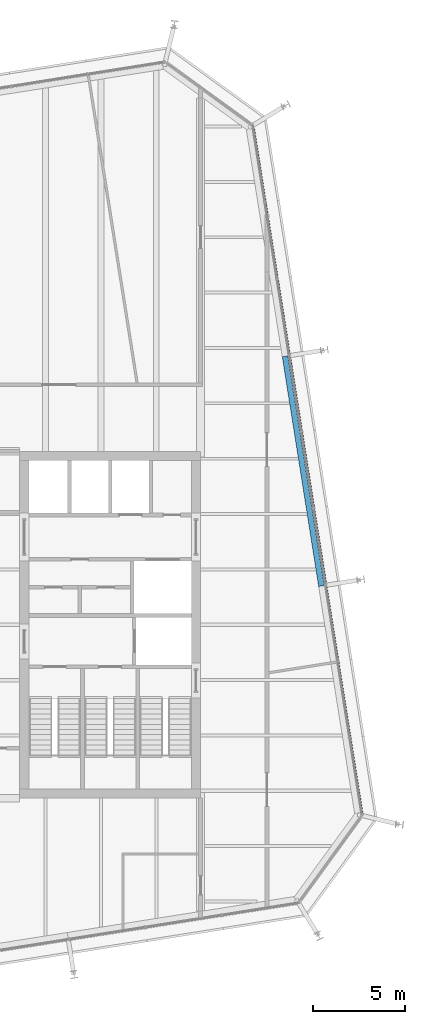
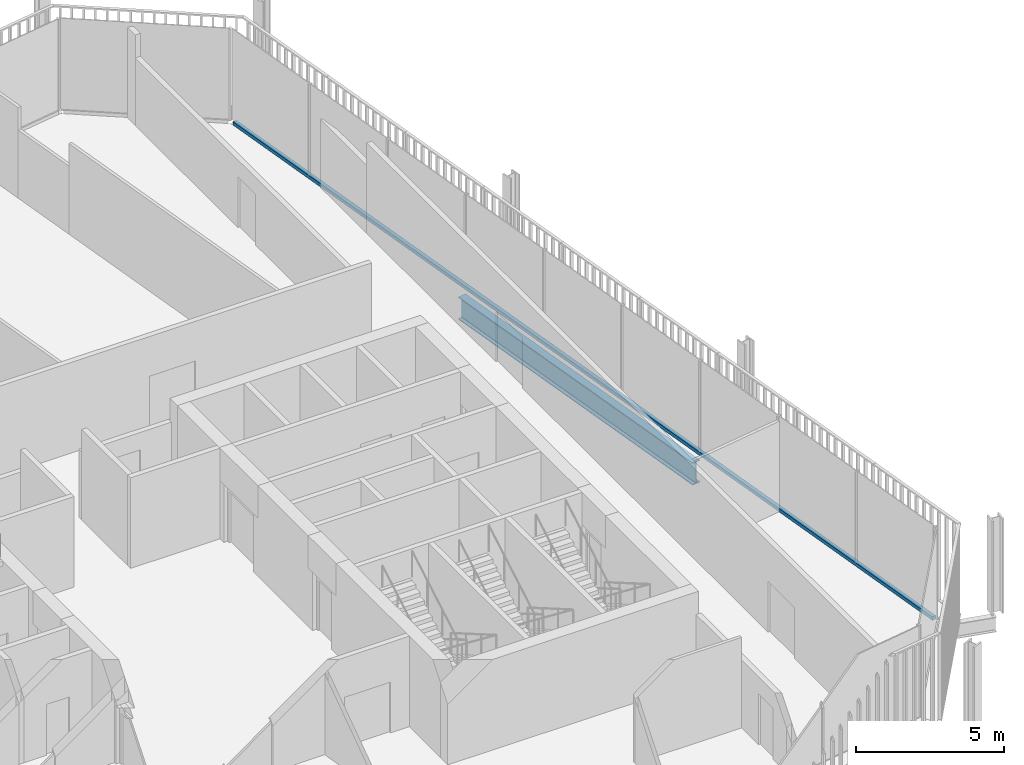
# One storey, part 9 of 20: 1 beam, 1 member, 1 element without a shape of its own.
"""IFC4 building model written with IfcOpenShell, lengths in metres."""

from ifc_helpers import new_model, si_unit, direction, frame, origin, origin_2d, place, context, subcontext, project, spatial, rectangle, i_section, extrude, material, layer, layer_set, material_profile, profile_set, type_object, element, aggregate, save


model = new_model("IFC4")

# Units and contexts
model_context = context("Model", 3, precision=1e-05, world=origin(), true_north=direction((0.0, 1.0)))
body_context = subcontext(model_context, "Body", "Model", "MODEL_VIEW")
ifc_project = project(units=[si_unit("LENGTHUNIT", "METRE"), si_unit("AREAUNIT", "SQUARE_METRE"), si_unit("VOLUMEUNIT", "CUBIC_METRE"), si_unit("PLANEANGLEUNIT", "RADIAN"), si_unit("MASSUNIT", "GRAM", prefix="KILO")], contexts=[model_context])

# Site, building, storey
site_placement = place(None, origin())
site = spatial("IfcSite", under=ifc_project, at=site_placement, CompositionType="ELEMENT")
building_placement = place(site_placement, origin())
building = spatial("IfcBuilding", under=site, at=building_placement, Name="Millrace Tower", CompositionType="ELEMENT")
storey_placement = place(building_placement, frame((0.0, 0.0, 216.39990234375)))
storey = spatial("IfcBuildingStorey", under=building, at=storey_placement, Name="L49", CompositionType="ELEMENT", Elevation=216.39990234375)

# Curtain wall, member
ifc_material_1 = material(Name="Aluminium and glass", Category="aluminium")
ifc_layer = layer(ifc_material_1, 0.14990234375)
ifc_layer_set = layer_set([ifc_layer], Name="Aluminium and glass")
curtain_wall_type = type_object("IfcCurtainWallType", Name="CW-1 office vision curtain wall", PredefinedType="NOTDEFINED", material=ifc_layer_set)
curtain_wall_placement = place(storey_placement, origin())
curtain_wall = element("IfcCurtainWall", 1, at=curtain_wall_placement, inside=storey, type_object=curtain_wall_type, Name="Curtain wall D-F04 L49", PredefinedType="NOTDEFINED")
ifc_material_2 = material(Name="Aluminium", Category="aluminium")
ifc_material_profile_1 = material_profile(ifc_material_2, rectangle(XDim=0.14990234375, YDim=0.139892578125, at=origin_2d()))
ifc_profile_set_1 = profile_set([ifc_material_profile_1], Name="Aluminium")
member_type = type_object("IfcMemberType", Name="CW-1 office vision curtain wall transom", PredefinedType="USERDEFINED", material=ifc_profile_set_1)
member_placement = place(storey_placement, frame((23.1318359375, -10.208740234375, 0.070068359375), z_axis=(-0.156432359726, 0.987688674042, 0.0), x_axis=(-0.987688674042, -0.156432359726, 0.0)))
member = element("IfcMember", 2, at=member_placement, type_object=member_type, Name="CW1 transom D-F04.1", ObjectType="TRANSOM", PredefinedType="USERDEFINED", context=body_context, shape_type="SweptSolid", body=[
    extrude(rectangle(XDim=0.14990234375, YDim=0.139892578125, at=origin_2d()), origin(), (0.0, 0.0, 1.0), 37.599853515625),
])
aggregate(curtain_wall, [member])

# Beam
ifc_material_3 = material(Name="Steel ASTM A992 Grade 50", Category="steel")
ifc_material_profile_2 = material_profile(ifc_material_3, i_section(OverallWidth=0.307373046875, OverallDepth=0.927001953125, WebThickness=0.01953125, FlangeThickness=0.031982421875, FilletRadius=0.01904296875, at=origin_2d()))
ifc_profile_set_2 = profile_set([ifc_material_profile_2], Name="Steel ASTM A992 Grade 50")
beam_type = type_object("IfcBeamType", Name="Ring beam medium span W36x194", PredefinedType="SPANDREL", material=ifc_profile_set_2)
beam_placement = place(storey_placement, frame((18.9794921875, 14.54638671875, -0.62353515625), z_axis=(0.1564441342, -0.987686809102, 0.0), x_axis=(0.987686809102, 0.1564441342, 0.0)))
element("IfcBeam", 3, at=beam_placement, inside=storey, type_object=beam_type, Name="RNG-D-L49-S1-10", PredefinedType="SPANDREL", context=body_context, shape_type="SweptSolid", body=[
    extrude(i_section(OverallWidth=0.307373046875, OverallDepth=0.927001953125, WebThickness=0.01953125, FlangeThickness=0.031982421875, FilletRadius=0.01904296875, at=origin_2d()), origin(), (0.0, 0.0, 1.0), 12.599853515625),
])

save(model, "model.ifc")
